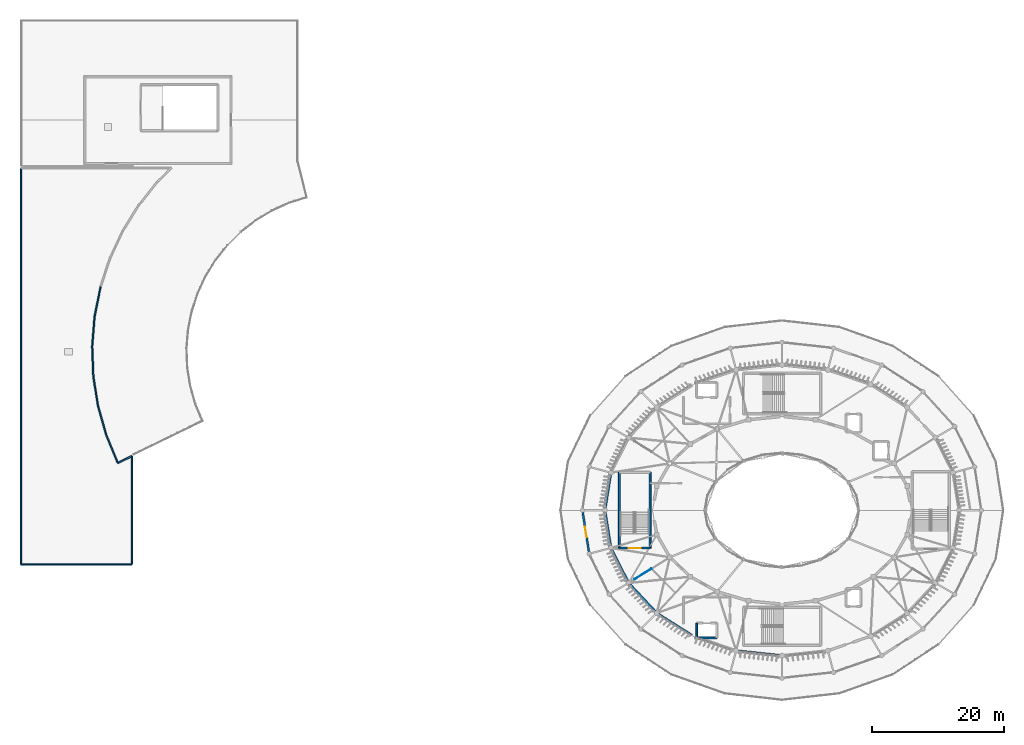
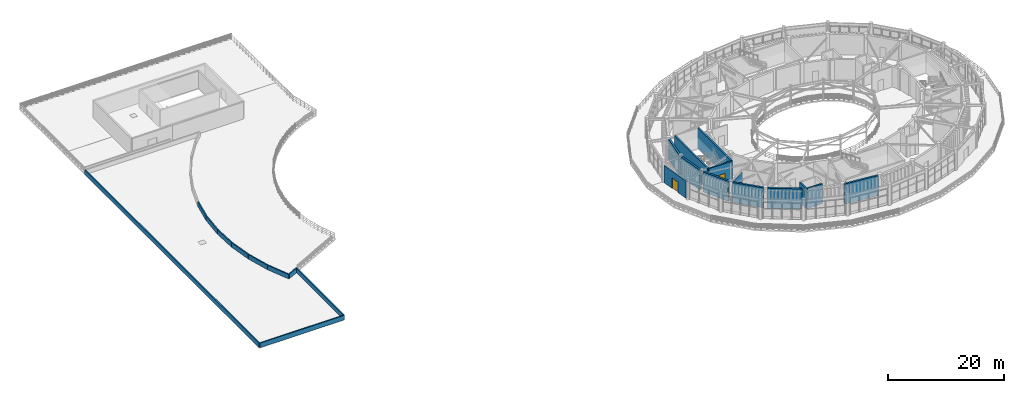
# One storey, part 24 of 45: 23 walls, 2 doors, 2 openings.
"""IFC4 building model written with IfcOpenShell, lengths in metres."""

import ifcopenshell
import ifcopenshell.guid

model = None  # the IFC model being written
_history = None  # IfcOwnerHistory: only IFC2X3 demands one
_inside = {}  # id of a spatial element -> (the spatial element, [elements in it])
_under = {}  # id of a project, library or spatial element -> (it, [spatial elements below it])
_declared = {}  # id of a project -> (the project, [libraries it declares])
_typed = {}  # id of a type object -> (the type object, [elements of that type])
_made_of = {}  # id of a material, layer set ... -> (it, [elements and type objects made of it])


def new_model(schema):
    """Start an empty IFC model of exactly this schema.

    Asked for "IFC4X3", IfcOpenShell would pick the latest addendum, in which some entities
    have other attributes; the version numbers below select the first issue.
    IFC2X3 requires an IfcOwnerHistory on every rooted entity: one is made here for all.
    """
    global model, _history
    if schema == "IFC4X3":
        model = ifcopenshell.file(schema_version=(4, 3, 0, 0))
    else:
        model = ifcopenshell.file(schema=schema)
    _inside.clear()
    _under.clear()
    _declared.clear()
    _typed.clear()
    _made_of.clear()
    _history = None
    if model.schema == "IFC2X3":
        org = make("IfcOrganization", Name="unknown")
        user = make(
            "IfcPersonAndOrganization",
            ThePerson=make("IfcPerson", FamilyName="unknown"),
            TheOrganization=org,
        )
        app = make(
            "IfcApplication",
            ApplicationDeveloper=org,
            Version="unknown",
            ApplicationFullName="unknown",
            ApplicationIdentifier="unknown",
        )
        _history = make(
            "IfcOwnerHistory",
            OwningUser=user,
            OwningApplication=app,
            ChangeAction="ADDED",
            CreationDate=0,
        )
    return model


def make(cls, **values):
    """One entity of the class cls with the attributes given. An attribute that is None is left unset."""
    return model.create_entity(
        cls, **{name: value for name, value in values.items() if value is not None}
    )


def rooted(cls, **values):
    """An entity with a GlobalId (a new one), such as an element, a storey or a relation."""
    return make(cls, GlobalId=ifcopenshell.guid.new(), OwnerHistory=_history, **values)


def si_unit(unit_type, name, prefix=None):
    """IfcSIUnit, for example si_unit("LENGTHUNIT", "METRE", prefix="MILLI")."""
    return make("IfcSIUnit", UnitType=unit_type, Prefix=prefix, Name=name)


def assignment(units):
    """IfcUnitAssignment: the units of a project."""
    return None if units is None else make("IfcUnitAssignment", Units=units)


def point(xyz):
    """IfcCartesianPoint."""
    return None if xyz is None else make("IfcCartesianPoint", Coordinates=xyz)


def direction(xyz):
    """IfcDirection."""
    return None if xyz is None else make("IfcDirection", DirectionRatios=xyz)


def frame(location, z_axis=None, x_axis=None):
    """IfcAxis2Placement3D, a coordinate frame: its origin and axes. An axis left out is left unset."""
    return make(
        "IfcAxis2Placement3D",
        Location=point(location),
        Axis=direction(z_axis),
        RefDirection=direction(x_axis),
    )


def frame_2d(location, x_axis=None):
    """IfcAxis2Placement2D, a coordinate frame in the plane: its origin and x axis."""
    return make(
        "IfcAxis2Placement2D", Location=point(location), RefDirection=direction(x_axis)
    )


def origin():
    """The frame at (0, 0, 0) with its axes left unset."""
    return frame((0.0, 0.0, 0.0))


def place(relative_to, where):
    """IfcLocalPlacement: puts the frame where relative to a parent placement (None: the world)."""
    return make(
        "IfcLocalPlacement", PlacementRelTo=relative_to, RelativePlacement=where
    )


def context(
    kind, dimensions, precision=None, world=None, true_north=None, identifier=None
):
    """IfcGeometricRepresentationContext, for example the 3D "Model" context."""
    return make(
        "IfcGeometricRepresentationContext",
        ContextIdentifier=identifier,
        ContextType=kind,
        CoordinateSpaceDimension=dimensions,
        Precision=precision,
        WorldCoordinateSystem=world,
        TrueNorth=true_north,
    )


def subcontext(parent, identifier, kind, view, scale=None):
    """IfcGeometricRepresentationSubContext, for example "Body" below "Model"."""
    return make(
        "IfcGeometricRepresentationSubContext",
        ContextIdentifier=identifier,
        ContextType=kind,
        ParentContext=parent,
        TargetScale=scale,
        TargetView=view,
    )


def project(units=None, contexts=None):
    """IfcProject with its units and contexts."""
    return rooted(
        "IfcProject",
        Name="project",
        RepresentationContexts=contexts,
        UnitsInContext=assignment(units),
    )


def spatial(cls, under=None, at=None, **own):
    """A site, building, storey or space (cls), placed at a placement, below another one or the project."""
    s = rooted(cls, ObjectPlacement=at, **own)
    if under is not None:
        _under.setdefault(under.id(), (under, []))[1].append(s)
    return s


def profile(cls, at=None, kind="AREA", **sizes):
    """A parametric profile (cls). Its sizes go by their IFC names, for example OverallWidth=200.0."""
    return make(cls, ProfileType=kind, Position=at, **sizes)


def rectangle(**sizes):
    """IfcRectangleProfileDef."""
    return profile("IfcRectangleProfileDef", **sizes)


def extrude(swept, where, along, depth):
    """IfcExtrudedAreaSolid: the profile swept, set in the frame where, extruded along a direction by depth."""
    return make(
        "IfcExtrudedAreaSolid",
        SweptArea=swept,
        Position=where,
        ExtrudedDirection=direction(along),
        Depth=depth,
    )


def shape(context_of_items, identifier, shape_type, items):
    """IfcShapeRepresentation: the items that make up one representation, for example the "Body"."""
    return make(
        "IfcShapeRepresentation",
        ContextOfItems=context_of_items,
        RepresentationIdentifier=identifier,
        RepresentationType=shape_type,
        Items=items,
    )


def material(Name=None, Category=None):
    """IfcMaterial."""
    return make("IfcMaterial", Name=Name, Category=Category)


def layer(
    of_material, thickness, ventilated=None, Name=None, Category=None, Priority=None
):
    """IfcMaterialLayer: one layer of a wall or slab, of a material (None: an air gap)."""
    return make(
        "IfcMaterialLayer",
        Material=of_material,
        LayerThickness=thickness,
        IsVentilated=ventilated,
        Name=Name,
        Category=Category,
        Priority=Priority,
    )


def layer_set(layers, Name=None):
    """IfcMaterialLayerSet."""
    return make("IfcMaterialLayerSet", MaterialLayers=layers, LayerSetName=Name)


def made_of(thing, what):
    """Note that an element or type object is made of a material, layer set ...; save() writes the relation."""
    if what is not None:
        _made_of.setdefault(what.id(), (what, []))[1].append(thing)
    return thing


def type_object(cls, material=None, **own):
    """A type object (cls), such as IfcWallType, which elements share."""
    return made_of(rooted(cls, **own), material)


def element(
    cls,
    number,
    at=None,
    inside=None,
    cuts=None,
    type_object=None,
    material=None,
    context=None,
    identifier="Body",
    shape_type=None,
    held_by="IfcProductDefinitionShape",
    body=None,
    shapes=None,
    **own,
):
    """One element of the class cls, such as IfcWall. Its Tag is "e" and its number.

    at: its placement. inside: the storey or other place that contains it. cuts: it is an
    opening in that element (IfcRelVoidsElement). A single representation is given by context,
    identifier, shape_type and body (its items); several are given by shapes. held_by: the class
    of the entity that holds the representations. save() writes the other relations.
    """
    e = rooted(cls, Tag="e%d" % number, ObjectPlacement=at, **own)
    if body is not None:
        shapes = [shape(context, identifier, shape_type, body)]
    if shapes is not None:
        e.Representation = make(held_by, Representations=shapes)
    if inside is not None:
        _inside.setdefault(inside.id(), (inside, []))[1].append(e)
    if cuts is not None:
        rooted(
            "IfcRelVoidsElement", RelatingBuildingElement=cuts, RelatedOpeningElement=e
        )
    if type_object is not None:
        _typed.setdefault(type_object.id(), (type_object, []))[1].append(e)
    return made_of(e, material)


def fill(opening, filler):
    """IfcRelFillsElement: the door or window that sits in an opening."""
    return rooted(
        "IfcRelFillsElement",
        RelatingOpeningElement=opening,
        RelatedBuildingElement=filler,
    )


def aggregate(whole, parts):
    """IfcRelAggregates: a whole, such as a stair, and the parts it consists of."""
    return rooted("IfcRelAggregates", RelatingObject=whole, RelatedObjects=parts)


def save(model, path):
    """Write the relations noted so far, then the file.

    IfcRelAggregates (storeys below a building ...), IfcRelContainedInSpatialStructure (elements
    in a storey), IfcRelDefinesByType, IfcRelAssociatesMaterial and IfcRelDeclares: one each for
    every whole, place, type object, material and project.
    """
    for whole, parts in _under.values():
        aggregate(whole, parts)
    for where, things in _inside.values():
        rooted(
            "IfcRelContainedInSpatialStructure",
            RelatedElements=things,
            RelatingStructure=where,
        )
    for kind, things in _typed.values():
        rooted("IfcRelDefinesByType", RelatedObjects=things, RelatingType=kind)
    for what, things in _made_of.values():
        rooted("IfcRelAssociatesMaterial", RelatedObjects=things, RelatingMaterial=what)
    for by, libraries in _declared.values():
        rooted("IfcRelDeclares", RelatingContext=by, RelatedDefinitions=libraries)
    model.write(path)


model = new_model("IFC4")

# Units and contexts
model_context = context("Model", 3, precision=1e-05, world=origin(), true_north=direction((0.0, 1.0)))
body_context = subcontext(model_context, "Body", "Model", "MODEL_VIEW")
ifc_project = project(units=[si_unit("LENGTHUNIT", "METRE"), si_unit("AREAUNIT", "SQUARE_METRE"), si_unit("VOLUMEUNIT", "CUBIC_METRE"), si_unit("PLANEANGLEUNIT", "RADIAN"), si_unit("MASSUNIT", "GRAM", prefix="KILO")], contexts=[model_context])

# Site, building, storey
site_placement = place(None, origin())
site = spatial("IfcSite", under=ifc_project, at=site_placement, CompositionType="ELEMENT")
building_placement = place(site_placement, origin())
building = spatial("IfcBuilding", under=site, at=building_placement, Name="Cinderbank Siding Concert Hall", CompositionType="ELEMENT")
storey_placement = place(building_placement, frame((0.0, 0.0, 19.199951171875)))
storey = spatial("IfcBuildingStorey", under=building, at=storey_placement, Name="L05", CompositionType="ELEMENT", Elevation=19.199951171875)

# Walls
ifc_material_1 = material(Name="Reinforced concrete AS 3600 N50 (50 MPa)", Category="concrete")
ifc_layer_1 = layer(ifc_material_1, 0.35009765625)
ifc_layer_set_1 = layer_set([ifc_layer_1], Name="Reinforced concrete AS 3600 N50 (50 MPa)")
wall_type_1 = type_object("IfcWallType", Name="WL-02 Structural Wall 350mm", PredefinedType="SHEAR", material=ifc_layer_set_1)
for number, where, z_axis, x_axis, name in (
    (1, (96.064208984375, 49.387939453125, 0.0), (0.0, 0.0, 1.0), (-0.158388253677, -0.98737690934, 0.0), "L05 Structural Wall SW-E2-L05-12"),
    (2, (95.2490234375, 43.69384765625, 0.0), (0.0, 0.0, 1.0), (0.158388253677, -0.98737690934, 0.0), "L05 Structural Wall SW-E2-L05-13"),
):
    element("IfcWall", number, at=place(storey_placement, frame(where, z_axis=z_axis, x_axis=x_axis)), inside=storey, type_object=wall_type_1, Name=name, PredefinedType="SHEAR", context=body_context, shape_type="SweptSolid", body=[
        extrude(rectangle(XDim=5.146728515625, YDim=0.35009765625, at=frame_2d((2.5732421875, 0.0))), origin(), (0.0, 0.0, 1.0), 4.22998046875),
    ])
wall_1_placement = place(storey_placement, frame((96.252685546875, 38.029296875, 0.0), z_axis=(0.0, 0.0, 1.0), x_axis=(0.450512686904, -0.892770025784, 0.0)))
element("IfcWall", 3, at=wall_1_placement, inside=storey, type_object=wall_type_1, Name="L05 Structural Wall SW-E2-L05-14", PredefinedType="SHEAR", context=body_context, shape_type="SweptSolid", body=[
    extrude(rectangle(XDim=5.3232421875, YDim=0.35009765625, at=frame_2d((2.66162109375, 0.0))), origin(), (0.0, 0.0, 1.0), 4.22998046875),
])
wall_2_placement = place(storey_placement, frame((99.002197265625, 32.7734375, 0.0), z_axis=(0.0, 0.0, 1.0), x_axis=(0.682886399388, -0.730524582427, 0.0)))
element("IfcWall", 4, at=wall_2_placement, inside=storey, type_object=wall_type_1, Name="L05 Structural Wall SW-E2-L05-15", PredefinedType="SHEAR", context=body_context, shape_type="SweptSolid", body=[
    extrude(rectangle(XDim=5.616943359375, YDim=0.35009765625, at=frame_2d((2.80859375, 0.0))), origin(), (0.0, 0.0, 1.0), 4.22998046875),
])
wall_3_placement = place(storey_placement, frame((103.311767578125, 28.278564453125, 0.0), z_axis=(0.0, 0.0, 1.0), x_axis=(0.846132783073, -0.532972150688, 0.0)))
element("IfcWall", 5, at=wall_3_placement, inside=storey, type_object=wall_type_1, Name="L05 Structural Wall SW-E2-L05-16", PredefinedType="SHEAR", context=body_context, shape_type="SweptSolid", body=[
    extrude(rectangle(XDim=5.949951171875, YDim=0.35009765625, at=frame_2d((2.97509765625, 0.0))), origin(), (0.0, 0.0, 1.0), 4.22998046875),
])
wall_4_placement = place(storey_placement, frame((115.371826171875, 22.71630859375, 0.0), z_axis=(0.0, 0.0, 1.0), x_axis=(0.99420948753, -0.107459270912, 0.0)))
element("IfcWall", 6, at=wall_4_placement, inside=storey, type_object=wall_type_1, Name="L05 Structural Wall SW-E2-L05-18", PredefinedType="SHEAR", context=body_context, shape_type="SweptSolid", body=[
    extrude(rectangle(XDim=6.35693359375, YDim=0.35009765625, at=frame_2d((3.178466796875, 0.0))), origin(), (0.0, 0.0, 1.0), 4.22998046875),
])

# Wall, opening, door
ifc_layer_2 = layer(ifc_material_1, 0.300048828125)
ifc_layer_set_2 = layer_set([ifc_layer_2], Name="Reinforced concrete AS 3600 N50 (50 MPa)")
wall_type_2 = type_object("IfcWallType", Name="WL-03 Structural Wall 300mm", PredefinedType="SHEAR", material=ifc_layer_set_2)
wall_5_placement = place(storey_placement, frame((102.0400390625, 38.260009765625, 0.0), z_axis=(0.0, 0.0, 1.0), x_axis=(-1.0, 0.0, 0.0)))
wall_5 = element("IfcWall", 7, at=wall_5_placement, inside=storey, type_object=wall_type_2, Name="L05 ST-04 Core Wall ENTRY", PredefinedType="SHEAR", context=body_context, shape_type="SweptSolid", body=[
    extrude(rectangle(XDim=4.64013671875, YDim=0.300048828125, at=frame_2d((2.320068359375, 0.0))), origin(), (0.0, 0.0, 1.0), 4.280029296875),
])
opening_1_placement = place(wall_5_placement, frame((1.419921875, 0.0, 0.0)))
opening_1 = element("IfcOpeningElement", 8, at=opening_1_placement, cuts=wall_5, Name="Opening D-05", PredefinedType="OPENING", context=body_context, shape_type="SweptSolid", body=[
    extrude(rectangle(XDim=1.800048828125, YDim=2.199951171875, at=frame_2d((0.89990234375, 1.10009765625))), frame((0.0, 0.162109375, 0.0), z_axis=(0.0, -1.0, 0.0), x_axis=(1.0, 0.0, 0.0)), (0.0, 0.0, 1.0), 0.323974609375),
])
ifc_material_2 = material(Name="Galvanised sheet steel acoustic fire door assembly", Category="steel")
door_type_1 = type_object("IfcDoorType", Name="D-05 Interior Door 1800x2200", OperationType="DOUBLE_DOOR_SINGLE_SWING", PredefinedType="DOOR", material=ifc_material_2)
door_1_placement = place(opening_1_placement, origin())
door_1 = element("IfcDoor", 9, at=door_1_placement, inside=storey, type_object=door_type_1, Name="L05 ST-04 Fire Stair Door L05-D027", OperationType="DOUBLE_DOOR_SINGLE_SWING", OverallHeight=2.199951171875, OverallWidth=1.800048828125, PredefinedType="DOOR", context=body_context, shape_type="SweptSolid", body=[
    extrude(rectangle(XDim=1.800048828125, YDim=2.199951171875, at=frame_2d((0.89990234375, 1.10009765625))), frame((0.0, 0.02490234375, 0.0), z_axis=(0.0, -1.0, 0.0), x_axis=(1.0, 0.0, 0.0)), (0.0, 0.0, 1.0), 0.050048828125),
])
fill(opening_1, door_1)

# Walls
for number, where, z_axis, x_axis, name in (
    (10, (102.0400390625, 49.739990234375, 0.0), (0.0, 0.0, 1.0), (0.0, -1.0, 0.0), "L05 ST-04 Core Wall SIDE1"),
    (11, (97.39990234375, 38.260009765625, 0.0), (0.0, 0.0, 1.0), (0.0, 1.0, 0.0), "L05 ST-04 Core Wall SIDE2"),
):
    element("IfcWall", number, at=place(storey_placement, frame(where, z_axis=z_axis, x_axis=x_axis)), inside=storey, type_object=wall_type_2, Name=name, PredefinedType="SHEAR", context=body_context, shape_type="SweptSolid", body=[
        extrude(rectangle(XDim=11.47998046875, YDim=0.300048828125, at=frame_2d((5.739990234375, 0.0))), origin(), (0.0, 0.0, 1.0), 4.280029296875),
    ])
wall_6_placement = place(storey_placement, frame((112.10009765625, 24.699951171875, 0.0), z_axis=(0.0, 0.0, 1.0), x_axis=(-1.0, 0.0, 0.0)))
element("IfcWall", 12, at=wall_6_placement, inside=storey, type_object=wall_type_2, Name="L05 LF-05 Shaft Wall -Y", PredefinedType="SHEAR", context=body_context, shape_type="SweptSolid", body=[
    extrude(rectangle(XDim=3.0, YDim=0.300048828125, at=frame_2d((1.5, 0.0))), origin(), (0.0, 0.0, 1.0), 4.22998046875),
])
wall_7_placement = place(storey_placement, frame((109.10009765625, 24.699951171875, 0.0), z_axis=(0.0, 0.0, 1.0), x_axis=(0.0, 1.0, 0.0)))
element("IfcWall", 13, at=wall_7_placement, inside=storey, type_object=wall_type_2, Name="L05 LF-05 Shaft Wall -X", PredefinedType="SHEAR", context=body_context, shape_type="SweptSolid", body=[
    extrude(rectangle(XDim=2.199951171875, YDim=0.300048828125, at=frame_2d((1.10009765625, 0.0))), origin(), (0.0, 0.0, 1.0), 4.22998046875),
])

# Wall, opening, door
ifc_material_3 = material(Name="Clinker clay brickwork masonry AS 3700 (20 MPa)", Category="masonry")
ifc_layer_3 = layer(ifc_material_3, 0.31005859375)
ifc_layer_set_3 = layer_set([ifc_layer_3], Name="Clinker clay brickwork masonry AS 3700 (20 MPa)")
wall_type_3 = type_object("IfcWallType", Name="WL-08 Exterior Wall 310mm", PredefinedType="STANDARD", material=ifc_layer_set_3)
wall_8_placement = place(storey_placement, frame((92.781005859375, 37.732421875, 0.0), z_axis=(0.0, 0.0, 1.0), x_axis=(-0.154647189376, 0.987969760073, 0.0)))
wall_8 = element("IfcWall", 14, at=wall_8_placement, inside=storey, type_object=wall_type_3, Name="L05 Facade Wall EW-E3-L05-13", PredefinedType="STANDARD", context=body_context, shape_type="SweptSolid", body=[
    extrude(rectangle(XDim=6.03369140625, YDim=0.31005859375, at=frame_2d((3.016845703125, 0.0))), origin(), (0.0, 0.0, 1.0), 3.610107421875),
])
opening_2_placement = place(wall_8_placement, frame((2.19189453125, 0.0, 0.0)))
opening_2 = element("IfcOpeningElement", 15, at=opening_2_placement, cuts=wall_8, Name="Opening TD-03", PredefinedType="OPENING", context=body_context, shape_type="SweptSolid", body=[
    extrude(rectangle(XDim=1.64990234375, YDim=2.179931640625, at=frame_2d((0.824951171875, 1.08984375))), frame((0.0, 0.1669921875, 0.0), z_axis=(0.0, -1.0, 0.0), x_axis=(1.0, 0.0, 0.0)), (0.0, 0.0, 1.0), 0.333984375),
])
ifc_material_4 = material(Name="Solid-core spotted gum acoustic timber", Category="wood")
door_type_2 = type_object("IfcDoorType", Name="TD-03 Exterior Door 1650x2180", OperationType="DOUBLE_DOOR_SINGLE_SWING", PredefinedType="DOOR", material=ifc_material_4)
door_2_placement = place(opening_2_placement, origin())
door_2 = element("IfcDoor", 16, at=door_2_placement, inside=storey, type_object=door_type_2, Name="L05 Foyer Terrace Door S13", OperationType="DOUBLE_DOOR_SINGLE_SWING", OverallHeight=2.179931640625, OverallWidth=1.64990234375, PredefinedType="DOOR", context=body_context, shape_type="SweptSolid", body=[
    extrude(rectangle(XDim=1.64990234375, YDim=2.179931640625, at=frame_2d((0.824951171875, 1.08984375))), frame((0.0, 0.02490234375, 0.0), z_axis=(0.0, -1.0, 0.0), x_axis=(1.0, 0.0, 0.0)), (0.0, 0.0, 1.0), 0.050048828125),
])
fill(opening_2, door_2)

# Walls
ifc_layer_4 = layer(ifc_material_3, 0.22998046875)
ifc_layer_set_4 = layer_set([ifc_layer_4], Name="Clinker clay brickwork masonry AS 3700 (20 MPa)")
wall_type_4 = type_object("IfcWallType", Name="WL-10 Exterior Wall 230mm", PredefinedType="PARAPET", material=ifc_layer_set_4)
for number, where, z_axis, x_axis, name in (
    (17, (18.8740234375, 77.80908203125, -0.119873046875), (0.0, 0.0, 1.0), (-0.197682700785, -0.980266060726, 0.0), "Roof Parapet ROOF-L05-WL-6"),
    (18, (17.9736328125, 73.34423828125, -0.119873046875), (0.0, 0.0, 1.0), (-0.080188345633, -0.996779729541, 0.0), "Roof Parapet ROOF-L05-WL-7"),
):
    element("IfcWall", number, at=place(storey_placement, frame(where, z_axis=z_axis, x_axis=x_axis)), inside=storey, type_object=wall_type_4, Name=name, PredefinedType="PARAPET", context=body_context, shape_type="SweptSolid", body=[
        extrude(rectangle(XDim=4.5546875, YDim=0.22998046875, at=frame_2d((2.27734375, 0.0))), origin(), (0.0, 0.0, 1.0), 0.949951171875),
    ])
wall_9_placement = place(storey_placement, frame((17.6083984375, 68.80419921875, -0.119873046875), z_axis=(0.0, 0.0, 1.0), x_axis=(0.038377542804, -0.999263310749, 0.0)))
element("IfcWall", 19, at=wall_9_placement, inside=storey, type_object=wall_type_4, Name="Roof Parapet ROOF-L05-WL-8", PredefinedType="PARAPET", context=body_context, shape_type="SweptSolid", body=[
    extrude(rectangle(XDim=4.554931640625, YDim=0.22998046875, at=frame_2d((2.27734375, 0.0))), origin(), (0.0, 0.0, 1.0), 0.949951171875),
])
for number, where, z_axis, x_axis, name in (
    (20, (17.783203125, 64.252685546875, -0.119873046875), (0.0, 0.0, 1.0), (0.156466273676, -0.987683302077, 0.0), "Roof Parapet ROOF-L05-WL-9"),
    (21, (18.495849609375, 59.754150390625, -0.119873046875), (0.0, 0.0, 1.0), (0.272249427892, -0.962226713936, 0.0), "Roof Parapet ROOF-L05-WL-10"),
):
    element("IfcWall", number, at=place(storey_placement, frame(where, z_axis=z_axis, x_axis=x_axis)), inside=storey, type_object=wall_type_4, Name=name, PredefinedType="PARAPET", context=body_context, shape_type="SweptSolid", body=[
        extrude(rectangle(XDim=4.5546875, YDim=0.22998046875, at=frame_2d((2.27734375, 0.0))), origin(), (0.0, 0.0, 1.0), 0.949951171875),
    ])
wall_10_placement = place(storey_placement, frame((19.73583984375, 55.37158203125, -0.119873046875), z_axis=(0.0, 0.0, 1.0), x_axis=(0.384310891198, -0.923203736402, 0.0)))
element("IfcWall", 22, at=wall_10_placement, inside=storey, type_object=wall_type_4, Name="Roof Parapet ROOF-L05-WL-11", PredefinedType="PARAPET", context=body_context, shape_type="SweptSolid", body=[
    extrude(rectangle(XDim=4.554931640625, YDim=0.22998046875, at=frame_2d((2.27734375, 0.0))), origin(), (0.0, 0.0, 1.0), 0.949951171875),
])
wall_11_placement = place(storey_placement, frame((21.486328125, 51.16650390625, -0.119873046875), z_axis=(0.0, 0.0, 1.0), x_axis=(0.89878540573, 0.438388862139, 0.0)))
element("IfcWall", 23, at=wall_11_placement, inside=storey, type_object=wall_type_4, Name="Roof Parapet ROOF-L05-WL-12", PredefinedType="PARAPET", context=body_context, shape_type="SweptSolid", body=[
    extrude(rectangle(XDim=2.351806640625, YDim=0.22998046875, at=frame_2d((1.17578125, 0.0))), origin(), (0.0, 0.0, 1.0), 0.949951171875),
])
wall_12_placement = place(storey_placement, frame((23.60009765625, 52.197509765625, -0.119873046875), z_axis=(0.0, 0.0, 1.0), x_axis=(0.0, -1.0, 0.0)))
element("IfcWall", 24, at=wall_12_placement, inside=storey, type_object=wall_type_4, Name="Roof Parapet ROOF-L05-WL-13", PredefinedType="PARAPET", context=body_context, shape_type="SweptSolid", body=[
    extrude(rectangle(XDim=16.3974609375, YDim=0.22998046875, at=frame_2d((8.19873046875, 0.0))), origin(), (0.0, 0.0, 1.0), 0.949951171875),
])
wall_13_placement = place(storey_placement, frame((23.60009765625, 35.800048828125, -0.119873046875), z_axis=(0.0, 0.0, 1.0), x_axis=(-1.0, 0.0, 0.0)))
element("IfcWall", 25, at=wall_13_placement, inside=storey, type_object=wall_type_4, Name="Roof Parapet ROOF-L05-WL-14", PredefinedType="PARAPET", context=body_context, shape_type="SweptSolid", body=[
    extrude(rectangle(XDim=16.800048828125, YDim=0.22998046875, at=frame_2d((8.39990234375, 0.0))), origin(), (0.0, 0.0, 1.0), 0.949951171875),
])
wall_14_placement = place(storey_placement, frame((6.800048828125, 35.800048828125, -0.119873046875), z_axis=(0.0, 0.0, 1.0), x_axis=(0.0, 1.0, 0.0)))
element("IfcWall", 26, at=wall_14_placement, inside=storey, type_object=wall_type_4, Name="Roof Parapet ROOF-L05-WL-15", PredefinedType="PARAPET", context=body_context, shape_type="SweptSolid", body=[
    extrude(rectangle(XDim=60.0, YDim=0.22998046875, at=frame_2d((30.0, 0.0))), origin(), (0.0, 0.0, 1.0), 0.949951171875),
])
ifc_material_5 = material(Name="Acoustic plasterboard on light-gauge steel studs", Category="gypsum")
ifc_layer_5 = layer(ifc_material_5, 0.1298828125)
ifc_layer_set_5 = layer_set([ifc_layer_5], Name="Acoustic plasterboard on light-gauge steel studs")
wall_type_5 = type_object("IfcWallType", Name="WL-17 Interior Wall 130mm", PredefinedType="PARTITIONING", material=ifc_layer_set_5)
wall_15_placement = place(storey_placement, frame((102.254638671875, 35.14990234375, 0.0), z_axis=(0.0, 0.0, 1.0), x_axis=(-0.85151267833, -0.524334014386, 0.0)))
element("IfcWall", 27, at=wall_15_placement, inside=storey, type_object=wall_type_5, Name="L05 WC Radial Demising Wall R15", PredefinedType="PARTITIONING", context=body_context, shape_type="SweptSolid", body=[
    extrude(rectangle(XDim=3.05126953125, YDim=0.1298828125, at=frame_2d((1.525634765625, 0.0))), origin(), (0.0, 0.0, 1.0), 3.734130859375),
])

save(model, "model.ifc")
